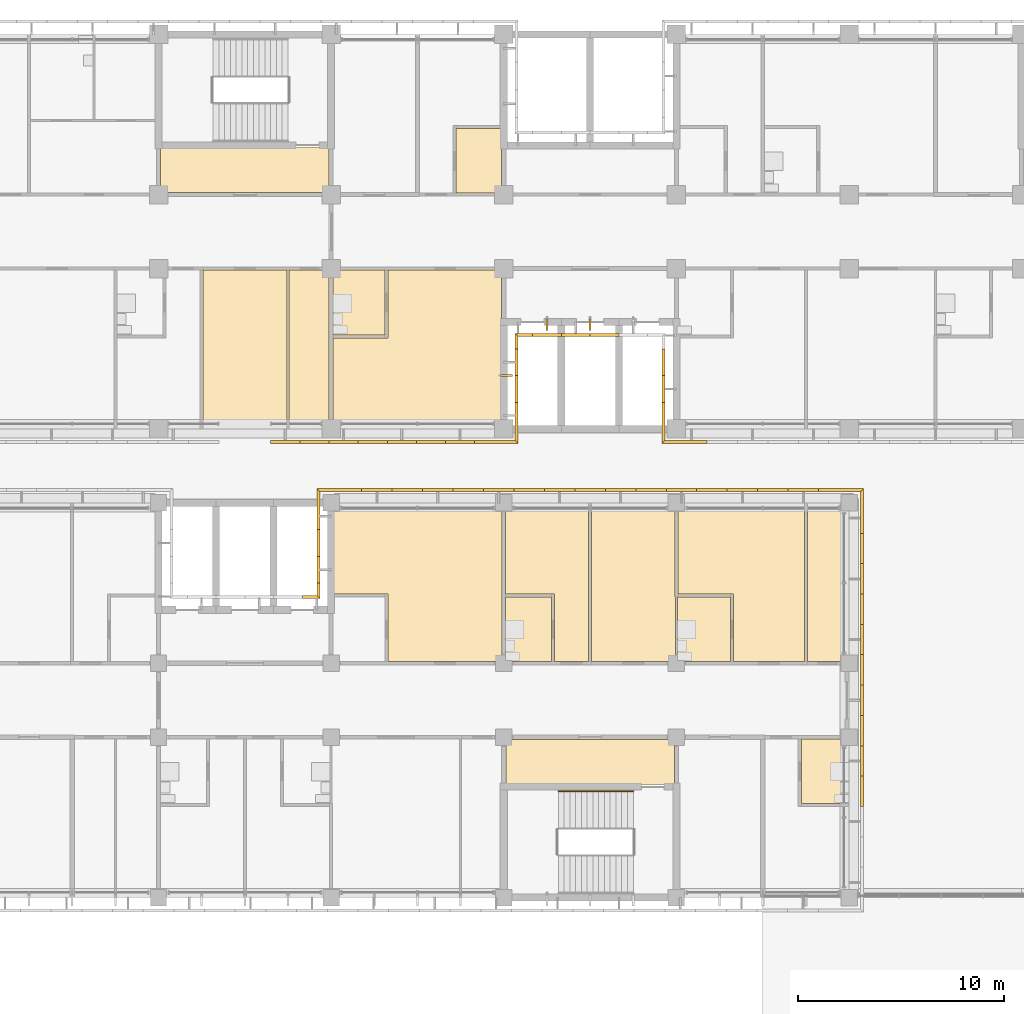
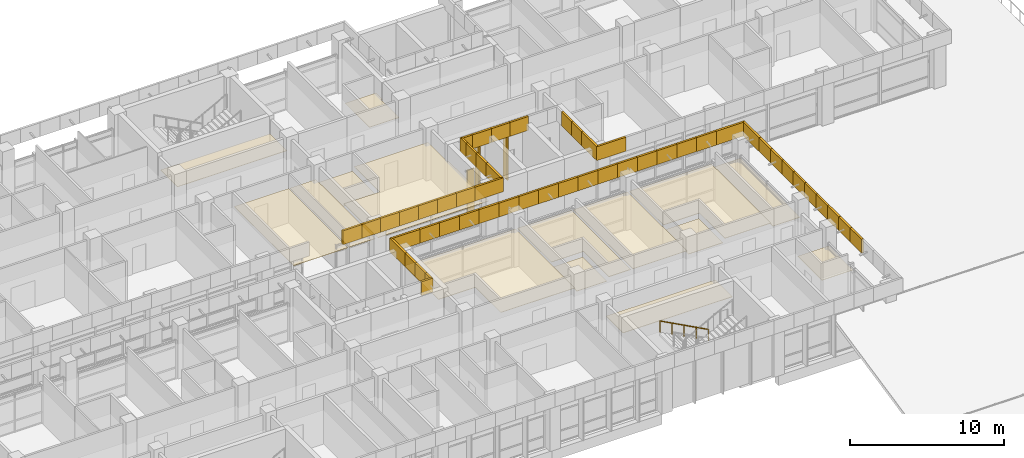
# One storey, part 130 of 137: 67 coverings, 3 shading devices, 1 railing.
"""IFC4 building model written with IfcOpenShell, lengths in metres."""

from ifc_helpers import new_model, si_unit, direction, frame, origin, origin_2d, place, context, subcontext, project, spatial, polyline, rectangle, circle, outline, extrude, material, layer, layer_set, material_profile, profile_set, type_object, element, save


model = new_model("IFC4")

# Units and contexts
model_context = context("Model", 3, precision=1e-05, world=origin(), true_north=direction((0.0, 1.0)))
body_context = subcontext(model_context, "Body", "Model", "MODEL_VIEW")
ifc_project = project(units=[si_unit("LENGTHUNIT", "METRE"), si_unit("AREAUNIT", "SQUARE_METRE"), si_unit("VOLUMEUNIT", "CUBIC_METRE"), si_unit("PLANEANGLEUNIT", "RADIAN"), si_unit("MASSUNIT", "GRAM", prefix="KILO")], contexts=[model_context])

# Site, building, storey
site_placement = place(None, origin())
site = spatial("IfcSite", under=ifc_project, at=site_placement, CompositionType="ELEMENT")
building_placement = place(site_placement, origin())
building = spatial("IfcBuilding", under=site, at=building_placement, Name="Bougainvillea Quay General Hospital", CompositionType="ELEMENT")
storey_placement = place(building_placement, frame((0.0, 0.0, 16.800048828125)))
storey = spatial("IfcBuildingStorey", under=building, at=storey_placement, Name="L03", CompositionType="ELEMENT", Elevation=16.800048828125)

# Coverings
ifc_material_1 = material(Name="Powder-coated aluminium fascia, white", Category="aluminium")
ifc_layer_1 = layer(ifc_material_1, 0.14990234375)
ifc_layer_set_1 = layer_set([ifc_layer_1], Name="Powder-coated aluminium fascia, white")
covering_type_1 = type_object("IfcCoveringType", Name="Aluminium fascia band white 150x1100", PredefinedType="CLADDING", material=ifc_layer_set_1)
for number, where, z_axis, x_axis, name in (
    (1, (139.860107421875, 139.85009765625, 3.64990234375), (0.0, 0.0, 1.0), (1.0, 0.0, 0.0), "Fascia band white e0 1"),
    (2, (141.277587890625, 139.85009765625, 3.64990234375), (0.0, 0.0, 1.0), (1.0, 0.0, 0.0), "Fascia band white e0 2"),
    (3, (142.695068359375, 139.85009765625, 3.64990234375), (0.0, 0.0, 1.0), (1.0, 0.0, 0.0), "Fascia band white e0 3"),
    (4, (144.112548828125, 139.85009765625, 3.64990234375), (0.0, 0.0, 1.0), (1.0, 0.0, 0.0), "Fascia band white e0 4"),
    (5, (145.530029296875, 139.85009765625, 3.64990234375), (0.0, 0.0, 1.0), (1.0, 0.0, 0.0), "Fascia band white e0 5"),
    (6, (146.947509765625, 139.85009765625, 3.64990234375), (0.0, 0.0, 1.0), (1.0, 0.0, 0.0), "Fascia band white e0 6"),
    (7, (148.364990234375, 139.85009765625, 3.64990234375), (0.0, 0.0, 1.0), (1.0, 0.0, 0.0), "Fascia band white e0 7"),
):
    element("IfcCovering", number, at=place(storey_placement, frame(where, z_axis=z_axis, x_axis=x_axis)), inside=storey, type_object=covering_type_1, Name=name, PredefinedType="CLADDING", context=body_context, shape_type="SweptSolid", body=[
        extrude(outline(polyline([(0.0, 0.0), (1.41748046875, 0.0), (1.41748046875, -0.150146484375), (0.0, -0.150146484375), (0.0, 0.0)])), origin(), (0.0, 0.0, 1.0), 1.10009765625),
    ])
covering_1_placement = place(storey_placement, frame((149.782470703125, 139.85009765625, 3.64990234375), z_axis=(0.0, 0.0, 1.0), x_axis=(1.0, 0.0, 0.0)))
element("IfcCovering", 8, at=covering_1_placement, inside=storey, type_object=covering_type_1, Name="Fascia band white e0 8", PredefinedType="CLADDING", context=body_context, shape_type="SweptSolid", body=[
    extrude(outline(polyline([(0.0, 0.0), (1.967529296875, 0.0), (2.117431640625, -0.150146484375), (0.0, -0.150146484375), (0.0, 0.0)])), origin(), (0.0, 0.0, 1.0), 1.10009765625),
])
covering_2_placement = place(storey_placement, frame((151.75, 139.85009765625, 3.64990234375), z_axis=(0.0, 0.0, 1.0), x_axis=(0.0, 1.0, 0.0)))
element("IfcCovering", 9, at=covering_2_placement, inside=storey, type_object=covering_type_1, Name="Fascia band white e0 9", PredefinedType="CLADDING", context=body_context, shape_type="SweptSolid", body=[
    extrude(outline(polyline([(0.0, 0.0), (1.849853515625, 0.0), (1.849853515625, -0.14990234375), (-0.150146484375, -0.14990234375), (0.0, 0.0)])), origin(), (0.0, 0.0, 1.0), 1.10009765625),
])
for number, where, z_axis, x_axis, name in (
    (10, (151.75, 141.699951171875, 3.64990234375), (0.0, 0.0, 1.0), (0.0, 1.0, 0.0), "Fascia band white e0 10"),
    (11, (151.75, 143.0, 3.64990234375), (0.0, 0.0, 1.0), (0.0, 1.0, 0.0), "Fascia band white e0 11"),
):
    element("IfcCovering", number, at=place(storey_placement, frame(where, z_axis=z_axis, x_axis=x_axis)), inside=storey, type_object=covering_type_1, Name=name, PredefinedType="CLADDING", context=body_context, shape_type="SweptSolid", body=[
        extrude(outline(polyline([(0.0, 0.0), (1.300048828125, 0.0), (1.300048828125, -0.14990234375), (0.0, -0.14990234375), (0.0, 0.0)])), origin(), (0.0, 0.0, 1.0), 1.10009765625),
    ])
covering_3_placement = place(storey_placement, frame((151.75, 144.300048828125, 3.64990234375), z_axis=(0.0, 0.0, 1.0), x_axis=(0.0, 1.0, 0.0)))
element("IfcCovering", 12, at=covering_3_placement, inside=storey, type_object=covering_type_1, Name="Fascia band white e0 12", PredefinedType="CLADDING", context=body_context, shape_type="SweptSolid", body=[
    extrude(outline(polyline([(0.0, 0.0), (0.75, 0.0), (0.599853515625, -0.14990234375), (0.0, -0.14990234375), (0.0, 0.0)])), origin(), (0.0, 0.0, 1.0), 1.10009765625),
])
covering_4_placement = place(storey_placement, frame((151.75, 145.050048828125, 3.64990234375), z_axis=(0.0, 0.0, 1.0), x_axis=(1.0, 0.0, 0.0)))
element("IfcCovering", 13, at=covering_4_placement, inside=storey, type_object=covering_type_1, Name="Fascia band white e0 13", PredefinedType="CLADDING", context=body_context, shape_type="SweptSolid", body=[
    extrude(outline(polyline([(0.0, 0.0), (0.85009765625, 0.0), (0.85009765625, -0.150146484375), (0.14990234375, -0.150146484375), (0.0, 0.0)])), origin(), (0.0, 0.0, 1.0), 1.10009765625),
])
for number, where, z_axis, x_axis, name in (
    (14, (152.60009765625, 145.050048828125, 3.64990234375), (0.0, 0.0, 1.0), (1.0, 0.0, 0.0), "Fascia band white e0 14"),
    (15, (154.0, 145.050048828125, 3.64990234375), (0.0, 0.0, 1.0), (1.0, 0.0, 0.0), "Fascia band white e0 15"),
):
    element("IfcCovering", number, at=place(storey_placement, frame(where, z_axis=z_axis, x_axis=x_axis)), inside=storey, type_object=covering_type_1, Name=name, PredefinedType="CLADDING", context=body_context, shape_type="SweptSolid", body=[
        extrude(outline(polyline([(0.0, 0.0), (1.39990234375, 0.0), (1.39990234375, -0.150146484375), (0.0, -0.150146484375), (0.0, 0.0)])), origin(), (0.0, 0.0, 1.0), 1.10009765625),
    ])
covering_5_placement = place(storey_placement, frame((155.39990234375, 145.050048828125, 3.64990234375), z_axis=(0.0, 0.0, 1.0), x_axis=(1.0, 0.0, 0.0)))
element("IfcCovering", 16, at=covering_5_placement, inside=storey, type_object=covering_type_1, Name="Fascia band white e0 16", PredefinedType="CLADDING", context=body_context, shape_type="SweptSolid", body=[
    extrude(outline(polyline([(0.0, 0.0), (1.400146484375, 0.0), (1.400146484375, -0.150146484375), (0.0, -0.150146484375), (0.0, 0.0)])), origin(), (0.0, 0.0, 1.0), 1.10009765625),
])
for number, where, z_axis, x_axis, name in (
    (17, (159.050048828125, 144.300048828125, 3.64990234375), (0.0, 0.0, 1.0), (0.0, -1.0, 0.0), "Fascia band white e0 20"),
    (18, (159.050048828125, 143.0, 3.64990234375), (0.0, 0.0, 1.0), (0.0, -1.0, 0.0), "Fascia band white e0 21"),
):
    element("IfcCovering", number, at=place(storey_placement, frame(where, z_axis=z_axis, x_axis=x_axis)), inside=storey, type_object=covering_type_1, Name=name, PredefinedType="CLADDING", context=body_context, shape_type="SweptSolid", body=[
        extrude(outline(polyline([(0.0, 0.0), (1.300048828125, 0.0), (1.300048828125, -0.150146484375), (0.0, -0.150146484375), (0.0, 0.0)])), origin(), (0.0, 0.0, 1.0), 1.10009765625),
    ])
covering_6_placement = place(storey_placement, frame((159.050048828125, 141.699951171875, 3.64990234375), z_axis=(0.0, 0.0, 1.0), x_axis=(0.0, -1.0, 0.0)))
element("IfcCovering", 19, at=covering_6_placement, inside=storey, type_object=covering_type_1, Name="Fascia band white e0 22", PredefinedType="CLADDING", context=body_context, shape_type="SweptSolid", body=[
    extrude(outline(polyline([(0.0, 0.0), (1.849853515625, 0.0), (2.0, -0.150146484375), (0.0, -0.150146484375), (0.0, 0.0)])), origin(), (0.0, 0.0, 1.0), 1.10009765625),
])
covering_7_placement = place(storey_placement, frame((159.050048828125, 139.85009765625, 3.64990234375), z_axis=(0.0, 0.0, 1.0), x_axis=(1.0, 0.0, 0.0)))
element("IfcCovering", 20, at=covering_7_placement, inside=storey, type_object=covering_type_1, Name="Fascia band white e0 23", PredefinedType="CLADDING", context=body_context, shape_type="SweptSolid", body=[
    extrude(outline(polyline([(0.0, 0.0), (2.0322265625, 0.0), (2.0322265625, -0.150146484375), (-0.150146484375, -0.150146484375), (0.0, 0.0)])), origin(), (0.0, 0.0, 1.0), 1.10009765625),
])
covering_8_placement = place(storey_placement, frame((168.550048828125, 122.03076171875, 3.64990234375), z_axis=(0.0, 0.0, 1.0), x_axis=(0.0, 1.0, 0.0)))
element("IfcCovering", 21, at=covering_8_placement, inside=storey, type_object=covering_type_1, Name="Fascia band white e1 74", PredefinedType="CLADDING", context=body_context, shape_type="SweptSolid", body=[
    extrude(outline(polyline([(0.0, 0.0), (1.47705078125, 0.0), (1.47705078125, -0.14990234375), (0.0, -0.14990234375), (0.0, 0.0)])), origin(), (0.0, 0.0, 1.0), 1.10009765625),
])
for number, where, z_axis, x_axis, name in (
    (22, (168.550048828125, 123.5078125, 3.64990234375), (0.0, 0.0, 1.0), (0.0, 1.0, 0.0), "Fascia band white e1 75"),
    (23, (168.550048828125, 124.984619140625, 3.64990234375), (0.0, 0.0, 1.0), (0.0, 1.0, 0.0), "Fascia band white e1 76"),
):
    element("IfcCovering", number, at=place(storey_placement, frame(where, z_axis=z_axis, x_axis=x_axis)), inside=storey, type_object=covering_type_1, Name=name, PredefinedType="CLADDING", context=body_context, shape_type="SweptSolid", body=[
        extrude(outline(polyline([(0.0, 0.0), (1.476806640625, 0.0), (1.476806640625, -0.14990234375), (0.0, -0.14990234375), (0.0, 0.0)])), origin(), (0.0, 0.0, 1.0), 1.10009765625),
    ])
covering_9_placement = place(storey_placement, frame((168.550048828125, 126.46142578125, 3.64990234375), z_axis=(0.0, 0.0, 1.0), x_axis=(0.0, 1.0, 0.0)))
element("IfcCovering", 24, at=covering_9_placement, inside=storey, type_object=covering_type_1, Name="Fascia band white e1 77", PredefinedType="CLADDING", context=body_context, shape_type="SweptSolid", body=[
    extrude(outline(polyline([(0.0, 0.0), (1.47705078125, 0.0), (1.47705078125, -0.14990234375), (0.0, -0.14990234375), (0.0, 0.0)])), origin(), (0.0, 0.0, 1.0), 1.10009765625),
])
covering_10_placement = place(storey_placement, frame((168.550048828125, 127.9384765625, 3.64990234375), z_axis=(0.0, 0.0, 1.0), x_axis=(0.0, 1.0, 0.0)))
element("IfcCovering", 25, at=covering_10_placement, inside=storey, type_object=covering_type_1, Name="Fascia band white e1 78", PredefinedType="CLADDING", context=body_context, shape_type="SweptSolid", body=[
    extrude(outline(polyline([(0.0, 0.0), (1.476806640625, 0.0), (1.476806640625, -0.14990234375), (0.0, -0.14990234375), (0.0, 0.0)])), origin(), (0.0, 0.0, 1.0), 1.10009765625),
])
covering_11_placement = place(storey_placement, frame((168.550048828125, 129.415283203125, 3.64990234375), z_axis=(0.0, 0.0, 1.0), x_axis=(0.0, 1.0, 0.0)))
element("IfcCovering", 26, at=covering_11_placement, inside=storey, type_object=covering_type_1, Name="Fascia band white e1 79", PredefinedType="CLADDING", context=body_context, shape_type="SweptSolid", body=[
    extrude(outline(polyline([(0.0, 0.0), (1.47705078125, 0.0), (1.47705078125, -0.14990234375), (0.0, -0.14990234375), (0.0, 0.0)])), origin(), (0.0, 0.0, 1.0), 1.10009765625),
])
covering_12_placement = place(storey_placement, frame((168.550048828125, 130.892333984375, 3.64990234375), z_axis=(0.0, 0.0, 1.0), x_axis=(0.0, 1.0, 0.0)))
element("IfcCovering", 27, at=covering_12_placement, inside=storey, type_object=covering_type_1, Name="Fascia band white e1 80", PredefinedType="CLADDING", context=body_context, shape_type="SweptSolid", body=[
    extrude(outline(polyline([(0.0, 0.0), (1.476806640625, 0.0), (1.476806640625, -0.14990234375), (0.0, -0.14990234375), (0.0, 0.0)])), origin(), (0.0, 0.0, 1.0), 1.10009765625),
])
covering_13_placement = place(storey_placement, frame((168.550048828125, 132.369140625, 3.64990234375), z_axis=(0.0, 0.0, 1.0), x_axis=(0.0, 1.0, 0.0)))
element("IfcCovering", 28, at=covering_13_placement, inside=storey, type_object=covering_type_1, Name="Fascia band white e1 81", PredefinedType="CLADDING", context=body_context, shape_type="SweptSolid", body=[
    extrude(outline(polyline([(0.0, 0.0), (1.47705078125, 0.0), (1.47705078125, -0.14990234375), (0.0, -0.14990234375), (0.0, 0.0)])), origin(), (0.0, 0.0, 1.0), 1.10009765625),
])
covering_14_placement = place(storey_placement, frame((168.550048828125, 133.84619140625, 3.64990234375), z_axis=(0.0, 0.0, 1.0), x_axis=(0.0, 1.0, 0.0)))
element("IfcCovering", 29, at=covering_14_placement, inside=storey, type_object=covering_type_1, Name="Fascia band white e1 82", PredefinedType="CLADDING", context=body_context, shape_type="SweptSolid", body=[
    extrude(outline(polyline([(0.0, 0.0), (1.476806640625, 0.0), (1.476806640625, -0.14990234375), (0.0, -0.14990234375), (0.0, 0.0)])), origin(), (0.0, 0.0, 1.0), 1.10009765625),
])
covering_15_placement = place(storey_placement, frame((168.550048828125, 135.322998046875, 3.64990234375), z_axis=(0.0, 0.0, 1.0), x_axis=(0.0, 1.0, 0.0)))
element("IfcCovering", 30, at=covering_15_placement, inside=storey, type_object=covering_type_1, Name="Fascia band white e1 83", PredefinedType="CLADDING", context=body_context, shape_type="SweptSolid", body=[
    extrude(outline(polyline([(0.0, 0.0), (2.027099609375, 0.0), (2.177001953125, -0.14990234375), (0.0, -0.14990234375), (0.0, 0.0)])), origin(), (0.0, 0.0, 1.0), 1.10009765625),
])
covering_16_placement = place(storey_placement, frame((168.550048828125, 137.35009765625, 3.64990234375), z_axis=(0.0, 0.0, 1.0), x_axis=(-1.0, 0.0, 0.0)))
element("IfcCovering", 31, at=covering_16_placement, inside=storey, type_object=covering_type_1, Name="Fascia band white e1 84", PredefinedType="CLADDING", context=body_context, shape_type="SweptSolid", body=[
    extrude(outline(polyline([(0.0, 0.0), (2.032470703125, 0.0), (2.032470703125, -0.14990234375), (-0.14990234375, -0.14990234375), (0.0, 0.0)])), origin(), (0.0, 0.0, 1.0), 1.10009765625),
])
covering_17_placement = place(storey_placement, frame((166.517578125, 137.35009765625, 3.64990234375), z_axis=(0.0, 0.0, 1.0), x_axis=(-1.0, 0.0, 0.0)))
element("IfcCovering", 32, at=covering_17_placement, inside=storey, type_object=covering_type_1, Name="Fascia band white e1 85", PredefinedType="CLADDING", context=body_context, shape_type="SweptSolid", body=[
    extrude(outline(polyline([(0.0, 0.0), (1.482177734375, 0.0), (1.482177734375, -0.14990234375), (0.0, -0.14990234375), (0.0, 0.0)])), origin(), (0.0, 0.0, 1.0), 1.10009765625),
])
for number, where, z_axis, x_axis, name in (
    (33, (165.035400390625, 137.35009765625, 3.64990234375), (0.0, 0.0, 1.0), (-1.0, 0.0, 0.0), "Fascia band white e1 86"),
    (34, (163.552978515625, 137.35009765625, 3.64990234375), (0.0, 0.0, 1.0), (-1.0, 0.0, 0.0), "Fascia band white e1 87"),
    (35, (162.070556640625, 137.35009765625, 3.64990234375), (0.0, 0.0, 1.0), (-1.0, 0.0, 0.0), "Fascia band white e1 88"),
):
    element("IfcCovering", number, at=place(storey_placement, frame(where, z_axis=z_axis, x_axis=x_axis)), inside=storey, type_object=covering_type_1, Name=name, PredefinedType="CLADDING", context=body_context, shape_type="SweptSolid", body=[
        extrude(outline(polyline([(0.0, 0.0), (1.482421875, 0.0), (1.482421875, -0.14990234375), (0.0, -0.14990234375), (0.0, 0.0)])), origin(), (0.0, 0.0, 1.0), 1.10009765625),
    ])
covering_18_placement = place(storey_placement, frame((160.588134765625, 137.35009765625, 3.64990234375), z_axis=(0.0, 0.0, 1.0), x_axis=(-1.0, 0.0, 0.0)))
element("IfcCovering", 36, at=covering_18_placement, inside=storey, type_object=covering_type_1, Name="Fascia band white e1 89", PredefinedType="CLADDING", context=body_context, shape_type="SweptSolid", body=[
    extrude(outline(polyline([(0.0, 0.0), (1.482177734375, 0.0), (1.482177734375, -0.14990234375), (0.0, -0.14990234375), (0.0, 0.0)])), origin(), (0.0, 0.0, 1.0), 1.10009765625),
])
for number, where, z_axis, x_axis, name in (
    (37, (159.10595703125, 137.35009765625, 3.64990234375), (0.0, 0.0, 1.0), (-1.0, 0.0, 0.0), "Fascia band white e1 90"),
    (38, (157.62353515625, 137.35009765625, 3.64990234375), (0.0, 0.0, 1.0), (-1.0, 0.0, 0.0), "Fascia band white e1 91"),
):
    element("IfcCovering", number, at=place(storey_placement, frame(where, z_axis=z_axis, x_axis=x_axis)), inside=storey, type_object=covering_type_1, Name=name, PredefinedType="CLADDING", context=body_context, shape_type="SweptSolid", body=[
        extrude(outline(polyline([(0.0, 0.0), (1.482421875, 0.0), (1.482421875, -0.14990234375), (0.0, -0.14990234375), (0.0, 0.0)])), origin(), (0.0, 0.0, 1.0), 1.10009765625),
    ])
covering_19_placement = place(storey_placement, frame((156.14111328125, 137.35009765625, 3.64990234375), z_axis=(0.0, 0.0, 1.0), x_axis=(-1.0, 0.0, 0.0)))
element("IfcCovering", 39, at=covering_19_placement, inside=storey, type_object=covering_type_1, Name="Fascia band white e1 92", PredefinedType="CLADDING", context=body_context, shape_type="SweptSolid", body=[
    extrude(outline(polyline([(0.0, 0.0), (1.482177734375, 0.0), (1.482177734375, -0.14990234375), (0.0, -0.14990234375), (0.0, 0.0)])), origin(), (0.0, 0.0, 1.0), 1.10009765625),
])
for number, where, z_axis, x_axis, name in (
    (40, (154.658935546875, 137.35009765625, 3.64990234375), (0.0, 0.0, 1.0), (-1.0, 0.0, 0.0), "Fascia band white e1 93"),
    (41, (153.176513671875, 137.35009765625, 3.64990234375), (0.0, 0.0, 1.0), (-1.0, 0.0, 0.0), "Fascia band white e1 94"),
    (42, (151.694091796875, 137.35009765625, 3.64990234375), (0.0, 0.0, 1.0), (-1.0, 0.0, 0.0), "Fascia band white e1 95"),
):
    element("IfcCovering", number, at=place(storey_placement, frame(where, z_axis=z_axis, x_axis=x_axis)), inside=storey, type_object=covering_type_1, Name=name, PredefinedType="CLADDING", context=body_context, shape_type="SweptSolid", body=[
        extrude(outline(polyline([(0.0, 0.0), (1.482421875, 0.0), (1.482421875, -0.14990234375), (0.0, -0.14990234375), (0.0, 0.0)])), origin(), (0.0, 0.0, 1.0), 1.10009765625),
    ])
covering_20_placement = place(storey_placement, frame((150.211669921875, 137.35009765625, 3.64990234375), z_axis=(0.0, 0.0, 1.0), x_axis=(-1.0, 0.0, 0.0)))
element("IfcCovering", 43, at=covering_20_placement, inside=storey, type_object=covering_type_1, Name="Fascia band white e1 96", PredefinedType="CLADDING", context=body_context, shape_type="SweptSolid", body=[
    extrude(outline(polyline([(0.0, 0.0), (1.482177734375, 0.0), (1.482177734375, -0.14990234375), (0.0, -0.14990234375), (0.0, 0.0)])), origin(), (0.0, 0.0, 1.0), 1.10009765625),
])
for number, where, z_axis, x_axis, name in (
    (44, (148.7294921875, 137.35009765625, 3.64990234375), (0.0, 0.0, 1.0), (-1.0, 0.0, 0.0), "Fascia band white e1 97"),
    (45, (147.2470703125, 137.35009765625, 3.64990234375), (0.0, 0.0, 1.0), (-1.0, 0.0, 0.0), "Fascia band white e1 98"),
):
    element("IfcCovering", number, at=place(storey_placement, frame(where, z_axis=z_axis, x_axis=x_axis)), inside=storey, type_object=covering_type_1, Name=name, PredefinedType="CLADDING", context=body_context, shape_type="SweptSolid", body=[
        extrude(outline(polyline([(0.0, 0.0), (1.482421875, 0.0), (1.482421875, -0.14990234375), (0.0, -0.14990234375), (0.0, 0.0)])), origin(), (0.0, 0.0, 1.0), 1.10009765625),
    ])
covering_21_placement = place(storey_placement, frame((145.7646484375, 137.35009765625, 3.64990234375), z_axis=(0.0, 0.0, 1.0), x_axis=(-1.0, 0.0, 0.0)))
element("IfcCovering", 46, at=covering_21_placement, inside=storey, type_object=covering_type_1, Name="Fascia band white e1 99", PredefinedType="CLADDING", context=body_context, shape_type="SweptSolid", body=[
    extrude(outline(polyline([(0.0, 0.0), (1.482177734375, 0.0), (1.482177734375, -0.14990234375), (0.0, -0.14990234375), (0.0, 0.0)])), origin(), (0.0, 0.0, 1.0), 1.10009765625),
])
covering_22_placement = place(storey_placement, frame((144.282470703125, 137.35009765625, 3.64990234375), z_axis=(0.0, 0.0, 1.0), x_axis=(-1.0, 0.0, 0.0)))
element("IfcCovering", 47, at=covering_22_placement, inside=storey, type_object=covering_type_1, Name="Fascia band white e1 100", PredefinedType="CLADDING", context=body_context, shape_type="SweptSolid", body=[
    extrude(outline(polyline([(0.0, 0.0), (2.032470703125, 0.0), (2.182373046875, -0.14990234375), (0.0, -0.14990234375), (0.0, 0.0)])), origin(), (0.0, 0.0, 1.0), 1.10009765625),
])
covering_23_placement = place(storey_placement, frame((142.25, 137.35009765625, 3.64990234375), z_axis=(0.0, 0.0, 1.0), x_axis=(0.0, -1.0, 0.0)))
element("IfcCovering", 48, at=covering_23_placement, inside=storey, type_object=covering_type_1, Name="Fascia band white e1 101", PredefinedType="CLADDING", context=body_context, shape_type="SweptSolid", body=[
    extrude(outline(polyline([(0.0, 0.0), (1.85009765625, 0.0), (1.85009765625, -0.14990234375), (-0.14990234375, -0.14990234375), (0.0, 0.0)])), origin(), (0.0, 0.0, 1.0), 1.10009765625),
])
for number, where, z_axis, x_axis, name in (
    (49, (142.25, 135.5, 3.64990234375), (0.0, 0.0, 1.0), (0.0, -1.0, 0.0), "Fascia band white e1 102"),
    (50, (142.25, 134.199951171875, 3.64990234375), (0.0, 0.0, 1.0), (0.0, -1.0, 0.0), "Fascia band white e1 103"),
):
    element("IfcCovering", number, at=place(storey_placement, frame(where, z_axis=z_axis, x_axis=x_axis)), inside=storey, type_object=covering_type_1, Name=name, PredefinedType="CLADDING", context=body_context, shape_type="SweptSolid", body=[
        extrude(outline(polyline([(0.0, 0.0), (1.300048828125, 0.0), (1.300048828125, -0.14990234375), (0.0, -0.14990234375), (0.0, 0.0)])), origin(), (0.0, 0.0, 1.0), 1.10009765625),
    ])
covering_24_placement = place(storey_placement, frame((142.25, 132.89990234375, 3.64990234375), z_axis=(0.0, 0.0, 1.0), x_axis=(0.0, -1.0, 0.0)))
element("IfcCovering", 51, at=covering_24_placement, inside=storey, type_object=covering_type_1, Name="Fascia band white e1 104", PredefinedType="CLADDING", context=body_context, shape_type="SweptSolid", body=[
    extrude(outline(polyline([(0.0, 0.0), (0.75, 0.0), (0.599853515625, -0.14990234375), (0.0, -0.14990234375), (0.0, 0.0)])), origin(), (0.0, 0.0, 1.0), 1.10009765625),
])
covering_25_placement = place(storey_placement, frame((142.25, 132.14990234375, 3.64990234375), z_axis=(0.0, 0.0, 1.0), x_axis=(-1.0, 0.0, 0.0)))
element("IfcCovering", 52, at=covering_25_placement, inside=storey, type_object=covering_type_1, Name="Fascia band white e1 105", PredefinedType="CLADDING", context=body_context, shape_type="SweptSolid", body=[
    extrude(outline(polyline([(0.0, 0.0), (0.85009765625, 0.0), (0.85009765625, -0.150146484375), (0.14990234375, -0.150146484375), (0.0, 0.0)])), origin(), (0.0, 0.0, 1.0), 1.10009765625),
])

# Railing
ifc_material_2 = material(Name="Stainless steel 304 handrail", Category="steel")
railing_type = type_object("IfcRailingType", Name="Stair handrail 900", PredefinedType="HANDRAIL", material=ifc_material_2)
railing_placement = place(storey_placement, frame((157.5, 122.77490234375, 0.14990234375)))
element("IfcRailing", 53, at=railing_placement, inside=storey, type_object=railing_type, Name="L03 ST-B4 stair handrail 1", PredefinedType="HANDRAIL", context=body_context, shape_type="SweptSolid", body=[
    extrude(circle(Radius=0.02392578125, at=origin_2d()), frame((0.0, 0.0, 0.8759765625), z_axis=(-0.881479091078, 0.0, 0.472223053219), x_axis=(0.0, -1.0, 0.0)), (0.0, 0.0, 1.0), 4.12939453125),
    extrude(circle(Radius=0.02099609375, at=origin_2d()), origin(), (0.0, 0.0, 1.0), 0.851806640625),
    extrude(circle(Radius=0.02099609375, at=origin_2d()), frame((-0.909912109375, 0.0, 0.487548828125)), (0.0, 0.0, 1.0), 0.851806640625),
    extrude(circle(Radius=0.02099609375, at=origin_2d()), frame((-1.81982421875, 0.0, 0.97509765625)), (0.0, 0.0, 1.0), 0.851806640625),
    extrude(circle(Radius=0.02099609375, at=origin_2d()), frame((-2.72998046875, 0.0, 1.46240234375)), (0.0, 0.0, 1.0), 0.851806640625),
    extrude(circle(Radius=0.02099609375, at=origin_2d()), frame((-3.639892578125, 0.0, 1.949951171875)), (0.0, 0.0, 1.0), 0.851806640625),
])

# Coverings
ifc_material_3 = material(Name="Mineral fibre ceiling tile")
ifc_layer_2 = layer(ifc_material_3, 0.030029296875)
ifc_layer_set_2 = layer_set([ifc_layer_2], Name="Mineral fibre ceiling tile")
covering_type_2 = type_object("IfcCoveringType", Name="Suspended ceiling mineral fibre tile", PredefinedType="CEILING", material=ifc_layer_set_2)
covering_26_placement = place(storey_placement, frame((0.0, 0.0, 2.699951171875)))
element("IfcCovering", 54, at=covering_26_placement, inside=storey, type_object=covering_type_2, Name="Ceiling Smoke-proof Vestibule ST-A3", PredefinedType="CEILING", context=body_context, shape_type="SweptSolid", body=[
    extrude(outline(polyline([(134.5, 151.89990234375), (142.699951171875, 151.89990234375), (142.699951171875, 154.10009765625), (134.5, 154.10009765625), (134.5, 151.89990234375)])), origin(), (0.0, 0.0, 1.0), 0.030029296875),
])
covering_27_placement = place(storey_placement, frame((0.0, 0.0, 2.699951171875)))
element("IfcCovering", 55, at=covering_27_placement, inside=storey, type_object=covering_type_2, Name="Ceiling Smoke-proof Vestibule ST-B4", PredefinedType="CEILING", context=body_context, shape_type="SweptSolid", body=[
    extrude(outline(polyline([(159.5, 125.300048828125), (151.300048828125, 125.300048828125), (151.300048828125, 123.10009765625), (159.5, 123.10009765625), (159.5, 125.300048828125)])), origin(), (0.0, 0.0, 1.0), 0.030029296875),
])
covering_28_placement = place(storey_placement, frame((0.0, 0.0, 2.699951171875)))
element("IfcCovering", 56, at=covering_28_placement, inside=storey, type_object=covering_type_2, Name="Ceiling Treatment and Clean Utility Room 03A22", PredefinedType="CEILING", context=body_context, shape_type="SweptSolid", body=[
    extrude(outline(polyline([(140.64990234375, 140.39990234375), (140.64990234375, 148.125), (136.574951171875, 148.125), (136.574951171875, 140.39990234375), (140.64990234375, 140.39990234375)])), origin(), (0.0, 0.0, 1.0), 0.030029296875),
])
covering_29_placement = place(storey_placement, frame((0.0, 0.0, 2.699951171875)))
element("IfcCovering", 57, at=covering_29_placement, inside=storey, type_object=covering_type_2, Name="Ceiling Dirty Utility and Sluice Room 03A23", PredefinedType="CEILING", context=body_context, shape_type="SweptSolid", body=[
    extrude(outline(polyline([(142.699951171875, 140.39990234375), (142.699951171875, 148.125), (140.75, 148.125), (140.75, 140.39990234375), (142.699951171875, 140.39990234375)])), origin(), (0.0, 0.0, 1.0), 0.030029296875),
])
covering_30_placement = place(storey_placement, frame((0.0, 0.0, 2.699951171875)))
element("IfcCovering", 58, at=covering_30_placement, inside=storey, type_object=covering_type_2, Name="Ceiling Neonatal Intensive Care Room 03A29", PredefinedType="CEILING", context=body_context, shape_type="SweptSolid", body=[
    extrude(outline(polyline([(151.199951171875, 145.60009765625), (151.10009765625, 145.60009765625), (151.10009765625, 148.125), (145.574951171875, 148.125), (145.574951171875, 144.824951171875), (142.89990234375, 144.824951171875), (142.89990234375, 140.39990234375), (151.199951171875, 140.39990234375), (151.199951171875, 145.60009765625)])), origin(), (0.0, 0.0, 1.0), 0.030029296875),
])
covering_31_placement = place(storey_placement, frame((0.0, 0.0, 2.39990234375)))
element("IfcCovering", 59, at=covering_31_placement, inside=storey, type_object=covering_type_2, Name="Ceiling En-suite 03A29", PredefinedType="CEILING", context=body_context, shape_type="SweptSolid", body=[
    extrude(outline(polyline([(145.425048828125, 144.97509765625), (145.425048828125, 148.125), (142.89990234375, 148.125), (142.89990234375, 144.97509765625), (145.425048828125, 144.97509765625)])), origin(), (0.0, 0.0, 1.0), 0.030029296875),
])
covering_32_placement = place(storey_placement, frame((0.0, 0.0, 2.39990234375)))
element("IfcCovering", 60, at=covering_32_placement, inside=storey, type_object=covering_type_2, Name="Ceiling En-suite 03A30", PredefinedType="CEILING", context=body_context, shape_type="SweptSolid", body=[
    extrude(outline(polyline([(151.199951171875, 155.02490234375), (148.875, 155.02490234375), (148.875, 151.875), (151.10009765625, 151.875), (151.10009765625, 154.199951171875), (151.199951171875, 154.199951171875), (151.199951171875, 155.02490234375)])), origin(), (0.0, 0.0, 1.0), 0.030029296875),
])
covering_33_placement = place(storey_placement, frame((0.0, 0.0, 2.699951171875)))
element("IfcCovering", 61, at=covering_33_placement, inside=storey, type_object=covering_type_2, Name="Ceiling Paediatric Ward Room 03B30", PredefinedType="CEILING", context=body_context, shape_type="SweptSolid", body=[
    extrude(outline(polyline([(142.800048828125, 136.800048828125), (142.800048828125, 132.375), (145.574951171875, 132.375), (145.574951171875, 129.074951171875), (151.125, 129.074951171875), (151.125, 136.800048828125), (142.800048828125, 136.800048828125)])), origin(), (0.0, 0.0, 1.0), 0.030029296875),
])
covering_34_placement = place(storey_placement, frame((0.0, 0.0, 2.699951171875)))
element("IfcCovering", 62, at=covering_34_placement, inside=storey, type_object=covering_type_2, Name="Ceiling Paediatric Patient Room 03B31", PredefinedType="CEILING", context=body_context, shape_type="SweptSolid", body=[
    extrude(outline(polyline([(151.27490234375, 136.800048828125), (151.27490234375, 132.375), (153.675048828125, 132.375), (153.675048828125, 129.074951171875), (155.324951171875, 129.074951171875), (155.324951171875, 136.800048828125), (151.27490234375, 136.800048828125)])), origin(), (0.0, 0.0, 1.0), 0.030029296875),
])
covering_35_placement = place(storey_placement, frame((0.0, 0.0, 2.39990234375)))
element("IfcCovering", 63, at=covering_35_placement, inside=storey, type_object=covering_type_2, Name="Ceiling En-suite 03B31", PredefinedType="CEILING", context=body_context, shape_type="SweptSolid", body=[
    extrude(outline(polyline([(151.27490234375, 132.22509765625), (151.27490234375, 129.074951171875), (153.52490234375, 129.074951171875), (153.52490234375, 132.22509765625), (151.27490234375, 132.22509765625)])), origin(), (0.0, 0.0, 1.0), 0.030029296875),
])
covering_36_placement = place(storey_placement, frame((0.0, 0.0, 2.699951171875)))
element("IfcCovering", 64, at=covering_36_placement, inside=storey, type_object=covering_type_2, Name="Ceiling Treatment and Clean Utility Room 03B32", PredefinedType="CEILING", context=body_context, shape_type="SweptSolid", body=[
    extrude(outline(polyline([(155.47509765625, 136.800048828125), (155.47509765625, 129.074951171875), (159.550048828125, 129.074951171875), (159.550048828125, 132.22509765625), (159.52490234375, 132.22509765625), (159.52490234375, 136.800048828125), (155.47509765625, 136.800048828125)])), origin(), (0.0, 0.0, 1.0), 0.030029296875),
])
covering_37_placement = place(storey_placement, frame((0.0, 0.0, 2.699951171875)))
element("IfcCovering", 65, at=covering_37_placement, inside=storey, type_object=covering_type_2, Name="Ceiling Paediatric Two-bed Room 03B33", PredefinedType="CEILING", context=body_context, shape_type="SweptSolid", body=[
    extrude(outline(polyline([(159.675048828125, 136.800048828125), (159.675048828125, 132.375), (162.375, 132.375), (162.375, 129.074951171875), (165.824951171875, 129.074951171875), (165.824951171875, 136.800048828125), (159.675048828125, 136.800048828125)])), origin(), (0.0, 0.0, 1.0), 0.030029296875),
])
covering_38_placement = place(storey_placement, frame((0.0, 0.0, 2.39990234375)))
element("IfcCovering", 66, at=covering_38_placement, inside=storey, type_object=covering_type_2, Name="Ceiling En-suite 03B33", PredefinedType="CEILING", context=body_context, shape_type="SweptSolid", body=[
    extrude(outline(polyline([(159.64990234375, 129.074951171875), (162.22509765625, 129.074951171875), (162.22509765625, 132.22509765625), (159.64990234375, 132.22509765625), (159.64990234375, 129.074951171875)])), origin(), (0.0, 0.0, 1.0), 0.030029296875),
])
covering_39_placement = place(storey_placement, frame((0.0, 0.0, 2.39990234375)))
element("IfcCovering", 67, at=covering_39_placement, inside=storey, type_object=covering_type_2, Name="Ceiling Cleaners' Store 03B34", PredefinedType="CEILING", context=body_context, shape_type="SweptSolid", body=[
    extrude(outline(polyline([(165.97509765625, 136.800048828125), (165.97509765625, 129.074951171875), (168.0, 129.074951171875), (168.0, 136.800048828125), (165.97509765625, 136.800048828125)])), origin(), (0.0, 0.0, 1.0), 0.030029296875),
])
covering_40_placement = place(storey_placement, frame((0.0, 0.0, 2.39990234375)))
element("IfcCovering", 68, at=covering_40_placement, inside=storey, type_object=covering_type_2, Name="Ceiling En-suite 03B35", PredefinedType="CEILING", context=body_context, shape_type="SweptSolid", body=[
    extrude(outline(polyline([(168.0, 125.324951171875), (165.675048828125, 125.324951171875), (165.675048828125, 122.175048828125), (168.0, 122.175048828125), (168.0, 125.324951171875)])), origin(), (0.0, 0.0, 1.0), 0.030029296875),
])

# Shading devices
ifc_material_4 = material(Name="Powder-coated aluminium fin, white", Category="aluminium")
ifc_material_profile = material_profile(ifc_material_4, rectangle(XDim=0.550048828125, YDim=0.10009765625, at=origin_2d()))
ifc_profile_set = profile_set([ifc_material_profile], Name="Powder-coated aluminium fin, white")
shading_device_type = type_object("IfcShadingDeviceType", Name="Vertical fin 550x100", PredefinedType="USERDEFINED", material=ifc_profile_set)
for number, where, z_axis, x_axis, name in (
    (69, (151.344970703125, 143.0, 0.0), (0.0, 0.0, 1.0), (1.0, 0.0, 0.0), "Vertical fin V5A L03 01.1"),
    (70, (155.39990234375, 145.455078125, 0.0), (0.0, 0.0, 1.0), (0.0, -1.0, 0.0), "Vertical fin V5A L03 02.2"),
    (71, (153.300048828125, 145.455078125, 0.0), (0.0, 0.0, 1.0), (0.0, -1.0, 0.0), "Vertical fin V5A L03 02.3"),
):
    element("IfcShadingDevice", number, at=place(storey_placement, frame(where, z_axis=z_axis, x_axis=x_axis)), inside=storey, type_object=shading_device_type, Name=name, ObjectType="Vertical fin", PredefinedType="USERDEFINED", context=body_context, shape_type="SweptSolid", body=[
        extrude(rectangle(XDim=0.550048828125, YDim=0.10009765625, at=origin_2d()), origin(), (0.0, 0.0, 1.0), 3.6298828125),
    ])

save(model, "model.ifc")
